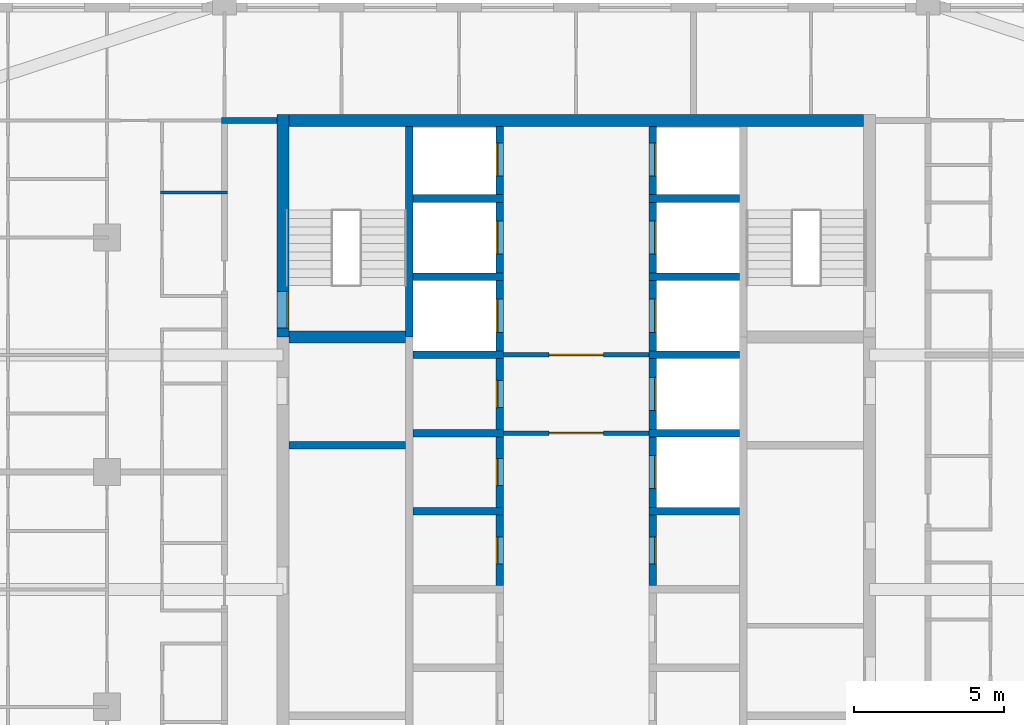
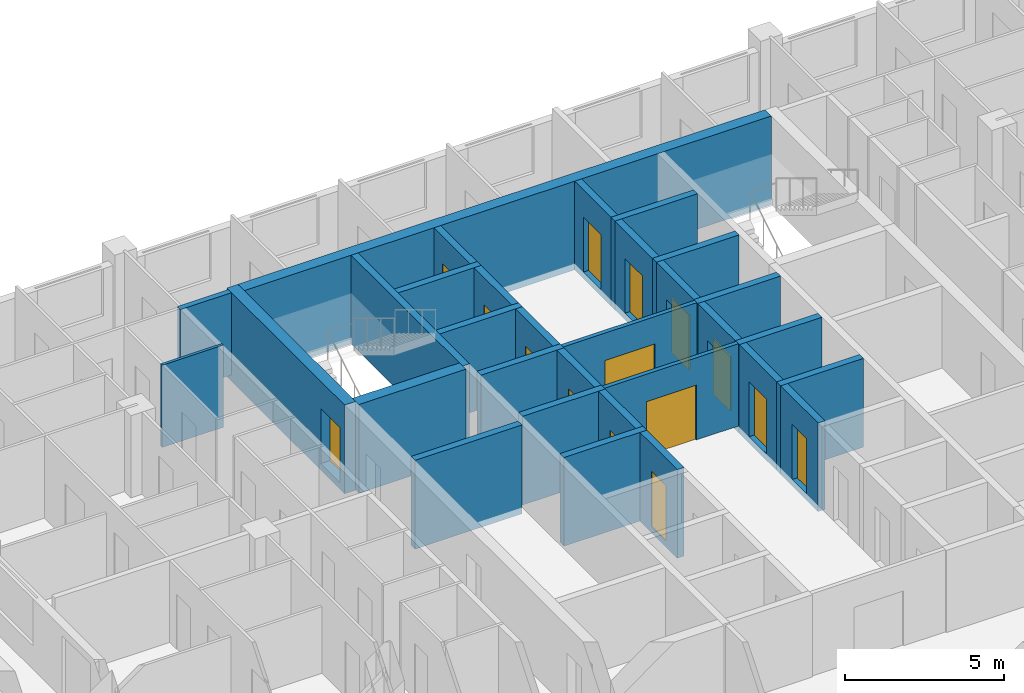
# One storey, part 9 of 16: 31 walls, 15 doors, 15 openings.
"""IFC4 building model written with IfcOpenShell, lengths in metres."""

from ifc_helpers import new_model, si_unit, direction, frame, frame_2d, origin, place, context, subcontext, project, spatial, rectangle, extrude, material, layer, layer_set, type_object, element, fill, save


model = new_model("IFC4")

# Units and contexts
model_context = context("Model", 3, precision=1e-05, world=origin(), true_north=direction((0.0, 1.0)))
body_context = subcontext(model_context, "Body", "Model", "MODEL_VIEW")
ifc_project = project(units=[si_unit("LENGTHUNIT", "METRE"), si_unit("AREAUNIT", "SQUARE_METRE"), si_unit("VOLUMEUNIT", "CUBIC_METRE"), si_unit("PLANEANGLEUNIT", "RADIAN"), si_unit("MASSUNIT", "GRAM", prefix="KILO")], contexts=[model_context])

# Site, building, storey
site_placement = place(None, origin())
site = spatial("IfcSite", under=ifc_project, at=site_placement, CompositionType="ELEMENT")
building_placement = place(site_placement, origin())
building = spatial("IfcBuilding", under=site, at=building_placement, Name="Ludao Terraces", CompositionType="ELEMENT")
storey_placement = place(building_placement, frame((0.0, 0.0, 214.300048828125)))
storey = spatial("IfcBuildingStorey", under=building, at=storey_placement, Name="L58", CompositionType="ELEMENT", Elevation=214.300048828125)

# Wall, opening, door
ifc_material_1 = material(Name="Concrete C50", Category="concrete")
ifc_layer_1 = layer(ifc_material_1, 0.39990234375)
ifc_layer_set_1 = layer_set([ifc_layer_1], Name="Core wall 400 C50")
wall_type_1 = type_object("IfcWallType", Name="Core wall 400 C50", PredefinedType="SOLIDWALL", material=ifc_layer_set_1)
wall_1_placement = place(storey_placement, frame((75.25, 77.300048828125, -0.25), z_axis=(0.0, 0.0, 1.0), x_axis=(0.0, 1.0, 0.0)))
wall_1 = element("IfcWall", 1, at=wall_1_placement, inside=storey, type_object=wall_type_1, Name="Core wall L58 outer-W-S1", PredefinedType="SOLIDWALL", context=body_context, shape_type="SweptSolid", body=[
    extrude(rectangle(XDim=7.39990234375, YDim=0.39990234375, at=frame_2d((3.699951171875, 0.0))), origin(), (0.0, 0.0, 1.0), 3.39990234375),
])
opening_1_placement = place(wall_1_placement, frame((0.300048828125, 0.0, 0.25)))
opening_1 = element("IfcOpeningElement", 2, at=opening_1_placement, cuts=wall_1, Name="Opening R21-110", PredefinedType="OPENING", context=body_context, shape_type="SweptSolid", body=[
    extrude(rectangle(XDim=1.199951171875, YDim=2.10009765625, at=frame_2d((0.60009765625, 1.050048828125))), frame((0.0, 0.2099609375, 0.0), z_axis=(0.0, -1.0, 0.0), x_axis=(1.0, 0.0, 0.0)), (0.0, 0.0, 1.0), 0.419921875),
])
ifc_material_2 = material(Name="Steel Q235", Category="steel")
door_type_1 = type_object("IfcDoorType", Name="INT Stair door 1200", OperationType="DOUBLE_DOOR_SINGLE_SWING", PredefinedType="DOOR", material=ifc_material_2)
door_1_placement = place(opening_1_placement, origin())
door_1 = element("IfcDoor", 3, at=door_1_placement, inside=storey, type_object=door_type_1, Name="DOOR 110", OperationType="DOUBLE_DOOR_SINGLE_SWING", OverallHeight=2.10009765625, OverallWidth=1.199951171875, PredefinedType="DOOR", context=body_context, shape_type="SweptSolid", body=[
    extrude(rectangle(XDim=1.199951171875, YDim=2.10009765625, at=frame_2d((0.60009765625, 1.050048828125))), frame((0.0, -0.134765625, 0.0), z_axis=(0.0, -1.0, 0.0), x_axis=(1.0, 0.0, 0.0)), (0.0, 0.0, 1.0), 0.050048828125),
])
fill(opening_1, door_1)

# Wall
wall_2_placement = place(storey_placement, frame((75.449951171875, 84.5, -0.25), z_axis=(0.0, 0.0, 1.0), x_axis=(1.0, 0.0, 0.0)))
element("IfcWall", 4, at=wall_2_placement, inside=storey, type_object=wall_type_1, Name="Core wall L58 outer-N", PredefinedType="SOLIDWALL", context=body_context, shape_type="SweptSolid", body=[
    extrude(rectangle(XDim=19.10009765625, YDim=0.39990234375, at=frame_2d((9.550048828125, 0.0))), origin(), (0.0, 0.0, 1.0), 3.39990234375),
])

# Wall, opening, door
ifc_material_3 = material(Name="Fire-rated gypsum plasterboard", Category="gypsum")
ifc_layer_2 = layer(ifc_material_3, 0.012451171875, Category="gypsum")
ifc_material_4 = material(Name="Mineral wool")
ifc_layer_3 = layer(ifc_material_4, 0.10009765625, Name="insulation")
ifc_layer_4 = layer(ifc_material_2, 0.02490234375, Name="stud")
ifc_layer_5 = layer(ifc_material_3, 0.012451171875, Category="gypsum")
ifc_layer_set_2 = layer_set([ifc_layer_2, ifc_layer_3, ifc_layer_4, ifc_layer_5], Name="INT Core partition 150")
wall_type_2 = type_object("IfcWallType", Name="INT Core partition 150", PredefinedType="PARTITIONING", material=ifc_layer_set_2)
wall_3_placement = place(storey_placement, frame((82.5751953125, 74.10009765625, 0.0), z_axis=(0.0, 0.0, 1.0), x_axis=(1.0, 0.0, 0.0)))
wall_3 = element("IfcWall", 5, at=wall_3_placement, inside=storey, type_object=wall_type_2, Name="PW-L58-PW048", PredefinedType="PARTITIONING", context=body_context, shape_type="SweptSolid", body=[
    extrude(rectangle(XDim=4.849853515625, YDim=0.14990234375, at=frame_2d((2.4248046875, 0.0))), origin(), (0.0, 0.0, 1.0), 3.14990234375),
])
opening_2_placement = place(wall_3_placement, frame((1.52490234375, 0.0, 0.0)))
opening_2 = element("IfcOpeningElement", 6, at=opening_2_placement, cuts=wall_3, Name="Opening R21-094", PredefinedType="OPENING", context=body_context, shape_type="SweptSolid", body=[
    extrude(rectangle(XDim=1.800048828125, YDim=2.10009765625, at=frame_2d((0.89990234375, 1.050048828125))), frame((0.0, 0.0849609375, 0.0), z_axis=(0.0, -1.0, 0.0), x_axis=(1.0, 0.0, 0.0)), (0.0, 0.0, 1.0), 0.169921875),
])
door_type_2 = type_object("IfcDoorType", Name="INT Fire lobby door 1800", OperationType="DOUBLE_DOOR_SINGLE_SWING", PredefinedType="DOOR", material=ifc_material_2)
door_2_placement = place(opening_2_placement, origin())
door_2 = element("IfcDoor", 7, at=door_2_placement, inside=storey, type_object=door_type_2, Name="DOOR 094", OperationType="DOUBLE_DOOR_SINGLE_SWING", OverallHeight=2.10009765625, OverallWidth=1.800048828125, PredefinedType="DOOR", context=body_context, shape_type="SweptSolid", body=[
    extrude(rectangle(XDim=1.800048828125, YDim=2.10009765625, at=frame_2d((0.89990234375, 1.050048828125))), frame((0.0, 0.02490234375, 0.0), z_axis=(0.0, -1.0, 0.0), x_axis=(1.0, 0.0, 0.0)), (0.0, 0.0, 1.0), 0.050048828125),
])
fill(opening_2, door_2)

wall_4_placement = place(storey_placement, frame((82.5751953125, 76.699951171875, 0.0), z_axis=(0.0, 0.0, 1.0), x_axis=(1.0, 0.0, 0.0)))
wall_4 = element("IfcWall", 8, at=wall_4_placement, inside=storey, type_object=wall_type_2, Name="PW-L58-PW053", PredefinedType="PARTITIONING", context=body_context, shape_type="SweptSolid", body=[
    extrude(rectangle(XDim=4.849853515625, YDim=0.14990234375, at=frame_2d((2.4248046875, 0.0))), origin(), (0.0, 0.0, 1.0), 3.14990234375),
])
opening_3_placement = place(wall_4_placement, frame((1.52490234375, 0.0, 0.0)))
opening_3 = element("IfcOpeningElement", 9, at=opening_3_placement, cuts=wall_4, Name="Opening R21-106", PredefinedType="OPENING", context=body_context, shape_type="SweptSolid", body=[
    extrude(rectangle(XDim=1.800048828125, YDim=2.10009765625, at=frame_2d((0.89990234375, 1.050048828125))), frame((0.0, 0.0849609375, 0.0), z_axis=(0.0, -1.0, 0.0), x_axis=(1.0, 0.0, 0.0)), (0.0, 0.0, 1.0), 0.169921875),
])
door_3_placement = place(opening_3_placement, origin())
door_3 = element("IfcDoor", 10, at=door_3_placement, inside=storey, type_object=door_type_2, Name="DOOR 106", OperationType="DOUBLE_DOOR_SINGLE_SWING", OverallHeight=2.10009765625, OverallWidth=1.800048828125, PredefinedType="DOOR", context=body_context, shape_type="SweptSolid", body=[
    extrude(rectangle(XDim=1.800048828125, YDim=2.10009765625, at=frame_2d((0.89990234375, 1.050048828125))), frame((0.0, 0.02490234375, 0.0), z_axis=(0.0, -1.0, 0.0), x_axis=(1.0, 0.0, 0.0)), (0.0, 0.0, 1.0), 0.050048828125),
])
fill(opening_3, door_3)

# Walls
ifc_material_5 = material(Name="Autoclaved aerated concrete block B06 A3.5", Category="concrete")
ifc_layer_6 = layer(ifc_material_5, 0.199951171875)
ifc_layer_set_3 = layer_set([ifc_layer_6], Name="INT Entrance wall 200")
wall_type_3 = type_object("IfcWallType", Name="INT Entrance wall 200", PredefinedType="PARTITIONING", material=ifc_layer_set_3)
wall_5_placement = place(storey_placement, frame((73.2001953125, 84.5, 0.0), z_axis=(0.0, 0.0, 1.0), x_axis=(1.0, 0.0, 0.0)))
element("IfcWall", 11, at=wall_5_placement, inside=storey, type_object=wall_type_3, Name="PW-L58-PW067", PredefinedType="PARTITIONING", context=body_context, shape_type="SweptSolid", body=[
    extrude(rectangle(XDim=1.849853515625, YDim=0.199951171875, at=frame_2d((0.9248046875, 0.0))), origin(), (0.0, 0.0, 1.0), 3.14990234375),
])
ifc_material_6 = material(Name="Gypsum plasterboard", Category="gypsum")
ifc_layer_7 = layer(ifc_material_6, 0.012451171875, Category="gypsum")
ifc_layer_8 = layer(ifc_material_4, 0.06005859375, Name="insulation")
ifc_layer_9 = layer(ifc_material_2, 0.014892578125, Name="stud")
ifc_layer_10 = layer(ifc_material_6, 0.012451171875, Category="gypsum")
ifc_layer_set_4 = layer_set([ifc_layer_7, ifc_layer_8, ifc_layer_9, ifc_layer_10], Name="INT Partition 100")
wall_type_4 = type_object("IfcWallType", Name="INT Partition 100", PredefinedType="PARTITIONING", material=ifc_layer_set_4)
wall_6_placement = place(storey_placement, frame((71.18017578125, 82.10009765625, 0.0), z_axis=(0.0, 0.0, 1.0), x_axis=(1.0, 0.0, 0.0)))
element("IfcWall", 12, at=wall_6_placement, inside=storey, type_object=wall_type_4, Name="PW-L58-PW062", PredefinedType="PARTITIONING", context=body_context, shape_type="SweptSolid", body=[
    extrude(rectangle(XDim=2.219970703125, YDim=0.10009765625, at=frame_2d((1.10986328125, 0.0))), origin(), (0.0, 0.0, 1.0), 3.14990234375),
])
ifc_layer_11 = layer(ifc_material_1, 0.25)
ifc_layer_set_5 = layer_set([ifc_layer_11], Name="Shaft wall 250 C50")
wall_type_5 = type_object("IfcWallType", Name="Shaft wall 250 C50", PredefinedType="SOLIDWALL", material=ifc_layer_set_5)
wall_7_placement = place(storey_placement, frame((79.449951171875, 77.300048828125, -0.25), z_axis=(0.0, 0.0, 1.0), x_axis=(0.0, 1.0, 0.0)))
element("IfcWall", 13, at=wall_7_placement, inside=storey, type_object=wall_type_5, Name="Core wall L58 back-W-S1", PredefinedType="SOLIDWALL", context=body_context, shape_type="SweptSolid", body=[
    extrude(rectangle(XDim=7.0, YDim=0.25, at=frame_2d((3.5, 0.0))), origin(), (0.0, 0.0, 1.0), 3.39990234375),
])

# Wall, opening, door
wall_8_placement = place(storey_placement, frame((82.449951171875, 69.02490234375, -0.25), z_axis=(0.0, 0.0, 1.0), x_axis=(0.0, 1.0, 0.0)))
wall_8 = element("IfcWall", 14, at=wall_8_placement, inside=storey, type_object=wall_type_5, Name="Core wall L58 front-W4", PredefinedType="SOLIDWALL", context=body_context, shape_type="SweptSolid", body=[
    extrude(rectangle(XDim=2.35009765625, YDim=0.25, at=frame_2d((1.175048828125, 0.0))), origin(), (0.0, 0.0, 1.0), 3.39990234375),
])
opening_4_placement = place(wall_8_placement, frame((0.72509765625, 0.0, 0.25)))
opening_4 = element("IfcOpeningElement", 15, at=opening_4_placement, cuts=wall_8, Name="Opening R21-080", PredefinedType="OPENING", context=body_context, shape_type="SweptSolid", body=[
    extrude(rectangle(XDim=0.89990234375, YDim=2.10009765625, at=frame_2d((0.449951171875, 1.050048828125))), frame((0.0, 0.135009765625, 0.0), z_axis=(0.0, -1.0, 0.0), x_axis=(1.0, 0.0, 0.0)), (0.0, 0.0, 1.0), 0.27001953125),
])
ifc_material_7 = material(Name="Timber door leaf", Category="wood")
door_type_3 = type_object("IfcDoorType", Name="INT Room door 900", OperationType="SINGLE_SWING_LEFT", PredefinedType="DOOR", material=ifc_material_7)
door_4_placement = place(opening_4_placement, origin())
door_4 = element("IfcDoor", 16, at=door_4_placement, inside=storey, type_object=door_type_3, Name="DOOR 080", OperationType="SINGLE_SWING_LEFT", OverallHeight=2.10009765625, OverallWidth=0.89990234375, PredefinedType="DOOR", context=body_context, shape_type="SweptSolid", body=[
    extrude(rectangle(XDim=0.89990234375, YDim=2.10009765625, at=frame_2d((0.449951171875, 1.050048828125))), frame((0.0, 0.10986328125, 0.0), z_axis=(0.0, -1.0, 0.0), x_axis=(1.0, 0.0, 0.0)), (0.0, 0.0, 1.0), 0.050048828125),
])
fill(opening_4, door_4)

# Wall
wall_9_placement = place(storey_placement, frame((79.574951171875, 71.5, -0.25), z_axis=(0.0, 0.0, 1.0), x_axis=(1.0, 0.0, 0.0)))
element("IfcWall", 17, at=wall_9_placement, inside=storey, type_object=wall_type_5, Name="Core wall L58 div-W5", PredefinedType="SOLIDWALL", context=body_context, shape_type="SweptSolid", body=[
    extrude(rectangle(XDim=3.0, YDim=0.25, at=frame_2d((1.5, 0.0))), origin(), (0.0, 0.0, 1.0), 3.39990234375),
])

# Wall, opening, door
wall_10_placement = place(storey_placement, frame((82.449951171875, 71.625, -0.25), z_axis=(0.0, 0.0, 1.0), x_axis=(0.0, 1.0, 0.0)))
wall_10 = element("IfcWall", 18, at=wall_10_placement, inside=storey, type_object=wall_type_5, Name="Core wall L58 front-W5", PredefinedType="SOLIDWALL", context=body_context, shape_type="SweptSolid", body=[
    extrude(rectangle(XDim=2.35009765625, YDim=0.25, at=frame_2d((1.175048828125, 0.0))), origin(), (0.0, 0.0, 1.0), 3.39990234375),
])
opening_5_placement = place(wall_10_placement, frame((0.72509765625, 0.0, 0.25)))
opening_5 = element("IfcOpeningElement", 19, at=opening_5_placement, cuts=wall_10, Name="Opening R21-090", PredefinedType="OPENING", context=body_context, shape_type="SweptSolid", body=[
    extrude(rectangle(XDim=0.89990234375, YDim=2.10009765625, at=frame_2d((0.449951171875, 1.050048828125))), frame((0.0, 0.135009765625, 0.0), z_axis=(0.0, -1.0, 0.0), x_axis=(1.0, 0.0, 0.0)), (0.0, 0.0, 1.0), 0.27001953125),
])
door_5_placement = place(opening_5_placement, origin())
door_5 = element("IfcDoor", 20, at=door_5_placement, inside=storey, type_object=door_type_3, Name="DOOR 090", OperationType="SINGLE_SWING_RIGHT", OverallHeight=2.10009765625, OverallWidth=0.89990234375, PredefinedType="DOOR", context=body_context, shape_type="SweptSolid", body=[
    extrude(rectangle(XDim=0.89990234375, YDim=2.10009765625, at=frame_2d((0.449951171875, 1.050048828125))), frame((0.0, 0.10986328125, 0.0), z_axis=(0.0, -1.0, 0.0), x_axis=(1.0, 0.0, 0.0)), (0.0, 0.0, 1.0), 0.050048828125),
])
fill(opening_5, door_5)

# Wall
wall_11_placement = place(storey_placement, frame((79.574951171875, 74.10009765625, -0.25), z_axis=(0.0, 0.0, 1.0), x_axis=(1.0, 0.0, 0.0)))
element("IfcWall", 21, at=wall_11_placement, inside=storey, type_object=wall_type_5, Name="Core wall L58 div-W6", PredefinedType="SOLIDWALL", context=body_context, shape_type="SweptSolid", body=[
    extrude(rectangle(XDim=3.0, YDim=0.25, at=frame_2d((1.5, 0.0))), origin(), (0.0, 0.0, 1.0), 3.39990234375),
])

# Wall, opening, door
wall_12_placement = place(storey_placement, frame((82.449951171875, 74.22509765625, -0.25), z_axis=(0.0, 0.0, 1.0), x_axis=(0.0, 1.0, 0.0)))
wall_12 = element("IfcWall", 22, at=wall_12_placement, inside=storey, type_object=wall_type_5, Name="Core wall L58 front-W6", PredefinedType="SOLIDWALL", context=body_context, shape_type="SweptSolid", body=[
    extrude(rectangle(XDim=2.349853515625, YDim=0.25, at=frame_2d((1.1748046875, 0.0))), origin(), (0.0, 0.0, 1.0), 3.39990234375),
])
opening_6_placement = place(wall_12_placement, frame((0.72509765625, 0.0, 0.25)))
opening_6 = element("IfcOpeningElement", 23, at=opening_6_placement, cuts=wall_12, Name="Opening R21-097", PredefinedType="OPENING", context=body_context, shape_type="SweptSolid", body=[
    extrude(rectangle(XDim=0.89990234375, YDim=2.10009765625, at=frame_2d((0.449951171875, 1.050048828125))), frame((0.0, 0.135009765625, 0.0), z_axis=(0.0, -1.0, 0.0), x_axis=(1.0, 0.0, 0.0)), (0.0, 0.0, 1.0), 0.27001953125),
])
door_6_placement = place(opening_6_placement, origin())
door_6 = element("IfcDoor", 24, at=door_6_placement, inside=storey, type_object=door_type_3, Name="DOOR 097", OperationType="SINGLE_SWING_LEFT", OverallHeight=2.10009765625, OverallWidth=0.89990234375, PredefinedType="DOOR", context=body_context, shape_type="SweptSolid", body=[
    extrude(rectangle(XDim=0.89990234375, YDim=2.10009765625, at=frame_2d((0.449951171875, 1.050048828125))), frame((0.0, 0.10986328125, 0.0), z_axis=(0.0, -1.0, 0.0), x_axis=(1.0, 0.0, 0.0)), (0.0, 0.0, 1.0), 0.050048828125),
])
fill(opening_6, door_6)

# Wall
wall_13_placement = place(storey_placement, frame((79.574951171875, 76.699951171875, -0.25), z_axis=(0.0, 0.0, 1.0), x_axis=(1.0, 0.0, 0.0)))
element("IfcWall", 25, at=wall_13_placement, inside=storey, type_object=wall_type_5, Name="Core wall L58 div-W7", PredefinedType="SOLIDWALL", context=body_context, shape_type="SweptSolid", body=[
    extrude(rectangle(XDim=3.0, YDim=0.25, at=frame_2d((1.5, 0.0))), origin(), (0.0, 0.0, 1.0), 3.39990234375),
])

# Wall, opening, door
wall_14_placement = place(storey_placement, frame((82.449951171875, 76.824951171875, -0.25), z_axis=(0.0, 0.0, 1.0), x_axis=(0.0, 1.0, 0.0)))
wall_14 = element("IfcWall", 26, at=wall_14_placement, inside=storey, type_object=wall_type_5, Name="Core wall L58 front-W7", PredefinedType="SOLIDWALL", context=body_context, shape_type="SweptSolid", body=[
    extrude(rectangle(XDim=2.35009765625, YDim=0.25, at=frame_2d((1.175048828125, 0.0))), origin(), (0.0, 0.0, 1.0), 3.39990234375),
])
opening_7_placement = place(wall_14_placement, frame((0.625, 0.0, 0.25)))
opening_7 = element("IfcOpeningElement", 27, at=opening_7_placement, cuts=wall_14, Name="Opening LD-FF1", PredefinedType="OPENING", context=body_context, shape_type="SweptSolid", body=[
    extrude(rectangle(XDim=1.10009765625, YDim=2.10009765625, at=frame_2d((0.550048828125, 1.050048828125))), frame((0.0, 0.135009765625, 0.0), z_axis=(0.0, -1.0, 0.0), x_axis=(1.0, 0.0, 0.0)), (0.0, 0.0, 1.0), 0.27001953125),
])
ifc_material_8 = material(Name="Stainless steel 304", Category="steel")
door_type_4 = type_object("IfcDoorType", Name="INT Lift landing door 1100", OperationType="SLIDING_TO_LEFT", PredefinedType="DOOR", material=ifc_material_8)
door_7_placement = place(opening_7_placement, origin())
door_7 = element("IfcDoor", 28, at=door_7_placement, inside=storey, type_object=door_type_4, Name="LANDING DOOR FF1 L58", OperationType="SLIDING_TO_LEFT", OverallHeight=2.10009765625, OverallWidth=1.10009765625, PredefinedType="DOOR", context=body_context, shape_type="SweptSolid", body=[
    extrude(rectangle(XDim=1.10009765625, YDim=2.10009765625, at=frame_2d((0.550048828125, 1.050048828125))), frame((0.0, 0.10986328125, 0.0), z_axis=(0.0, -1.0, 0.0), x_axis=(1.0, 0.0, 0.0)), (0.0, 0.0, 1.0), 0.050048828125),
])
fill(opening_7, door_7)

# Wall
wall_15_placement = place(storey_placement, frame((79.574951171875, 79.300048828125, -0.25), z_axis=(0.0, 0.0, 1.0), x_axis=(1.0, 0.0, 0.0)))
element("IfcWall", 29, at=wall_15_placement, inside=storey, type_object=wall_type_5, Name="Core wall L58 div-W8", PredefinedType="SOLIDWALL", context=body_context, shape_type="SweptSolid", body=[
    extrude(rectangle(XDim=3.0, YDim=0.25, at=frame_2d((1.5, 0.0))), origin(), (0.0, 0.0, 1.0), 3.39990234375),
])

# Wall, opening, door
wall_16_placement = place(storey_placement, frame((82.449951171875, 79.425048828125, -0.25), z_axis=(0.0, 0.0, 1.0), x_axis=(0.0, 1.0, 0.0)))
wall_16 = element("IfcWall", 30, at=wall_16_placement, inside=storey, type_object=wall_type_5, Name="Core wall L58 front-W8", PredefinedType="SOLIDWALL", context=body_context, shape_type="SweptSolid", body=[
    extrude(rectangle(XDim=2.349853515625, YDim=0.25, at=frame_2d((1.1748046875, 0.0))), origin(), (0.0, 0.0, 1.0), 3.39990234375),
])
opening_8_placement = place(wall_16_placement, frame((0.625, 0.0, 0.25)))
opening_8 = element("IfcOpeningElement", 31, at=opening_8_placement, cuts=wall_16, Name="Opening LD-FF2", PredefinedType="OPENING", context=body_context, shape_type="SweptSolid", body=[
    extrude(rectangle(XDim=1.10009765625, YDim=2.10009765625, at=frame_2d((0.550048828125, 1.050048828125))), frame((0.0, 0.135009765625, 0.0), z_axis=(0.0, -1.0, 0.0), x_axis=(1.0, 0.0, 0.0)), (0.0, 0.0, 1.0), 0.27001953125),
])
door_8_placement = place(opening_8_placement, origin())
door_8 = element("IfcDoor", 32, at=door_8_placement, inside=storey, type_object=door_type_4, Name="LANDING DOOR FF2 L58", OperationType="SLIDING_TO_LEFT", OverallHeight=2.10009765625, OverallWidth=1.10009765625, PredefinedType="DOOR", context=body_context, shape_type="SweptSolid", body=[
    extrude(rectangle(XDim=1.10009765625, YDim=2.10009765625, at=frame_2d((0.550048828125, 1.050048828125))), frame((0.0, 0.10986328125, 0.0), z_axis=(0.0, -1.0, 0.0), x_axis=(1.0, 0.0, 0.0)), (0.0, 0.0, 1.0), 0.050048828125),
])
fill(opening_8, door_8)

# Wall
wall_17_placement = place(storey_placement, frame((79.574951171875, 81.89990234375, -0.25), z_axis=(0.0, 0.0, 1.0), x_axis=(1.0, 0.0, 0.0)))
element("IfcWall", 33, at=wall_17_placement, inside=storey, type_object=wall_type_5, Name="Core wall L58 div-W9", PredefinedType="SOLIDWALL", context=body_context, shape_type="SweptSolid", body=[
    extrude(rectangle(XDim=3.0, YDim=0.25, at=frame_2d((1.5, 0.0))), origin(), (0.0, 0.0, 1.0), 3.39990234375),
])

# Wall, opening, door
wall_18_placement = place(storey_placement, frame((82.449951171875, 82.02490234375, -0.25), z_axis=(0.0, 0.0, 1.0), x_axis=(0.0, 1.0, 0.0)))
wall_18 = element("IfcWall", 34, at=wall_18_placement, inside=storey, type_object=wall_type_5, Name="Core wall L58 front-W9", PredefinedType="SOLIDWALL", context=body_context, shape_type="SweptSolid", body=[
    extrude(rectangle(XDim=2.275146484375, YDim=0.25, at=frame_2d((1.1376953125, 0.0))), origin(), (0.0, 0.0, 1.0), 3.39990234375),
])
opening_9_placement = place(wall_18_placement, frame((0.625, 0.0, 0.25)))
opening_9 = element("IfcOpeningElement", 35, at=opening_9_placement, cuts=wall_18, Name="Opening LD-LB6", PredefinedType="OPENING", context=body_context, shape_type="SweptSolid", body=[
    extrude(rectangle(XDim=1.10009765625, YDim=2.10009765625, at=frame_2d((0.550048828125, 1.050048828125))), frame((0.0, 0.135009765625, 0.0), z_axis=(0.0, -1.0, 0.0), x_axis=(1.0, 0.0, 0.0)), (0.0, 0.0, 1.0), 0.27001953125),
])
door_9_placement = place(opening_9_placement, origin())
door_9 = element("IfcDoor", 36, at=door_9_placement, inside=storey, type_object=door_type_4, Name="LANDING DOOR LB6 L58", OperationType="SLIDING_TO_RIGHT", OverallHeight=2.10009765625, OverallWidth=1.10009765625, PredefinedType="DOOR", context=body_context, shape_type="SweptSolid", body=[
    extrude(rectangle(XDim=1.10009765625, YDim=2.10009765625, at=frame_2d((0.550048828125, 1.050048828125))), frame((0.0, 0.10986328125, 0.0), z_axis=(0.0, -1.0, 0.0), x_axis=(1.0, 0.0, 0.0)), (0.0, 0.0, 1.0), 0.050048828125),
])
fill(opening_9, door_9)

wall_19_placement = place(storey_placement, frame((87.550048828125, 69.02490234375, -0.25), z_axis=(0.0, 0.0, 1.0), x_axis=(0.0, 1.0, 0.0)))
wall_19 = element("IfcWall", 37, at=wall_19_placement, inside=storey, type_object=wall_type_5, Name="Core wall L58 front-E4", PredefinedType="SOLIDWALL", context=body_context, shape_type="SweptSolid", body=[
    extrude(rectangle(XDim=2.35009765625, YDim=0.25, at=frame_2d((1.175048828125, 0.0))), origin(), (0.0, 0.0, 1.0), 3.39990234375),
])
opening_10_placement = place(wall_19_placement, frame((0.72509765625, 0.0, 0.25)))
opening_10 = element("IfcOpeningElement", 38, at=opening_10_placement, cuts=wall_19, Name="Opening R21-081", PredefinedType="OPENING", context=body_context, shape_type="SweptSolid", body=[
    extrude(rectangle(XDim=0.89990234375, YDim=2.10009765625, at=frame_2d((0.449951171875, 1.050048828125))), frame((0.0, 0.135009765625, 0.0), z_axis=(0.0, -1.0, 0.0), x_axis=(1.0, 0.0, 0.0)), (0.0, 0.0, 1.0), 0.27001953125),
])
door_10_placement = place(opening_10_placement, origin())
door_10 = element("IfcDoor", 39, at=door_10_placement, inside=storey, type_object=door_type_3, Name="DOOR 081", OperationType="SINGLE_SWING_RIGHT", OverallHeight=2.10009765625, OverallWidth=0.89990234375, PredefinedType="DOOR", context=body_context, shape_type="SweptSolid", body=[
    extrude(rectangle(XDim=0.89990234375, YDim=2.10009765625, at=frame_2d((0.449951171875, 1.050048828125))), frame((0.0, -0.06005859375, 0.0), z_axis=(0.0, -1.0, 0.0), x_axis=(1.0, 0.0, 0.0)), (0.0, 0.0, 1.0), 0.050048828125),
])
fill(opening_10, door_10)

# Wall
wall_20_placement = place(storey_placement, frame((87.425048828125, 71.5, -0.25), z_axis=(0.0, 0.0, 1.0), x_axis=(1.0, 0.0, 0.0)))
element("IfcWall", 40, at=wall_20_placement, inside=storey, type_object=wall_type_5, Name="Core wall L58 div-E5", PredefinedType="SOLIDWALL", context=body_context, shape_type="SweptSolid", body=[
    extrude(rectangle(XDim=3.0, YDim=0.25, at=frame_2d((1.5, 0.0))), origin(), (0.0, 0.0, 1.0), 3.39990234375),
])

# Wall, opening, door
wall_21_placement = place(storey_placement, frame((87.550048828125, 71.625, -0.25), z_axis=(0.0, 0.0, 1.0), x_axis=(0.0, 1.0, 0.0)))
wall_21 = element("IfcWall", 41, at=wall_21_placement, inside=storey, type_object=wall_type_5, Name="Core wall L58 front-E5", PredefinedType="SOLIDWALL", context=body_context, shape_type="SweptSolid", body=[
    extrude(rectangle(XDim=2.35009765625, YDim=0.25, at=frame_2d((1.175048828125, 0.0))), origin(), (0.0, 0.0, 1.0), 3.39990234375),
])
opening_11_placement = place(wall_21_placement, frame((0.625, 0.0, 0.25)))
opening_11 = element("IfcOpeningElement", 42, at=opening_11_placement, cuts=wall_21, Name="Opening LD-LB1", PredefinedType="OPENING", context=body_context, shape_type="SweptSolid", body=[
    extrude(rectangle(XDim=1.10009765625, YDim=2.10009765625, at=frame_2d((0.550048828125, 1.050048828125))), frame((0.0, 0.135009765625, 0.0), z_axis=(0.0, -1.0, 0.0), x_axis=(1.0, 0.0, 0.0)), (0.0, 0.0, 1.0), 0.27001953125),
])
door_11_placement = place(opening_11_placement, origin())
door_11 = element("IfcDoor", 43, at=door_11_placement, inside=storey, type_object=door_type_4, Name="LANDING DOOR LB1 L58", OperationType="SLIDING_TO_LEFT", OverallHeight=2.10009765625, OverallWidth=1.10009765625, PredefinedType="DOOR", context=body_context, shape_type="SweptSolid", body=[
    extrude(rectangle(XDim=1.10009765625, YDim=2.10009765625, at=frame_2d((0.550048828125, 1.050048828125))), frame((0.0, -0.06005859375, 0.0), z_axis=(0.0, -1.0, 0.0), x_axis=(1.0, 0.0, 0.0)), (0.0, 0.0, 1.0), 0.050048828125),
])
fill(opening_11, door_11)

# Wall
wall_22_placement = place(storey_placement, frame((87.425048828125, 74.10009765625, -0.25), z_axis=(0.0, 0.0, 1.0), x_axis=(1.0, 0.0, 0.0)))
element("IfcWall", 44, at=wall_22_placement, inside=storey, type_object=wall_type_5, Name="Core wall L58 div-E6", PredefinedType="SOLIDWALL", context=body_context, shape_type="SweptSolid", body=[
    extrude(rectangle(XDim=3.0, YDim=0.25, at=frame_2d((1.5, 0.0))), origin(), (0.0, 0.0, 1.0), 3.39990234375),
])

# Wall, opening, door
wall_23_placement = place(storey_placement, frame((87.550048828125, 74.22509765625, -0.25), z_axis=(0.0, 0.0, 1.0), x_axis=(0.0, 1.0, 0.0)))
wall_23 = element("IfcWall", 45, at=wall_23_placement, inside=storey, type_object=wall_type_5, Name="Core wall L58 front-E6", PredefinedType="SOLIDWALL", context=body_context, shape_type="SweptSolid", body=[
    extrude(rectangle(XDim=2.349853515625, YDim=0.25, at=frame_2d((1.1748046875, 0.0))), origin(), (0.0, 0.0, 1.0), 3.39990234375),
])
opening_12_placement = place(wall_23_placement, frame((0.625, 0.0, 0.25)))
opening_12 = element("IfcOpeningElement", 46, at=opening_12_placement, cuts=wall_23, Name="Opening LD-LB2", PredefinedType="OPENING", context=body_context, shape_type="SweptSolid", body=[
    extrude(rectangle(XDim=1.10009765625, YDim=2.10009765625, at=frame_2d((0.550048828125, 1.050048828125))), frame((0.0, 0.135009765625, 0.0), z_axis=(0.0, -1.0, 0.0), x_axis=(1.0, 0.0, 0.0)), (0.0, 0.0, 1.0), 0.27001953125),
])
door_12_placement = place(opening_12_placement, origin())
door_12 = element("IfcDoor", 47, at=door_12_placement, inside=storey, type_object=door_type_4, Name="LANDING DOOR LB2 L58", OperationType="SLIDING_TO_LEFT", OverallHeight=2.10009765625, OverallWidth=1.10009765625, PredefinedType="DOOR", context=body_context, shape_type="SweptSolid", body=[
    extrude(rectangle(XDim=1.10009765625, YDim=2.10009765625, at=frame_2d((0.550048828125, 1.050048828125))), frame((0.0, -0.06005859375, 0.0), z_axis=(0.0, -1.0, 0.0), x_axis=(1.0, 0.0, 0.0)), (0.0, 0.0, 1.0), 0.050048828125),
])
fill(opening_12, door_12)

# Wall
wall_24_placement = place(storey_placement, frame((87.425048828125, 76.699951171875, -0.25), z_axis=(0.0, 0.0, 1.0), x_axis=(1.0, 0.0, 0.0)))
element("IfcWall", 48, at=wall_24_placement, inside=storey, type_object=wall_type_5, Name="Core wall L58 div-E7", PredefinedType="SOLIDWALL", context=body_context, shape_type="SweptSolid", body=[
    extrude(rectangle(XDim=3.0, YDim=0.25, at=frame_2d((1.5, 0.0))), origin(), (0.0, 0.0, 1.0), 3.39990234375),
])

# Wall, opening, door
wall_25_placement = place(storey_placement, frame((87.550048828125, 76.824951171875, -0.25), z_axis=(0.0, 0.0, 1.0), x_axis=(0.0, 1.0, 0.0)))
wall_25 = element("IfcWall", 49, at=wall_25_placement, inside=storey, type_object=wall_type_5, Name="Core wall L58 front-E7", PredefinedType="SOLIDWALL", context=body_context, shape_type="SweptSolid", body=[
    extrude(rectangle(XDim=2.35009765625, YDim=0.25, at=frame_2d((1.175048828125, 0.0))), origin(), (0.0, 0.0, 1.0), 3.39990234375),
])
opening_13_placement = place(wall_25_placement, frame((0.625, 0.0, 0.25)))
opening_13 = element("IfcOpeningElement", 50, at=opening_13_placement, cuts=wall_25, Name="Opening LD-LB3", PredefinedType="OPENING", context=body_context, shape_type="SweptSolid", body=[
    extrude(rectangle(XDim=1.10009765625, YDim=2.10009765625, at=frame_2d((0.550048828125, 1.050048828125))), frame((0.0, 0.135009765625, 0.0), z_axis=(0.0, -1.0, 0.0), x_axis=(1.0, 0.0, 0.0)), (0.0, 0.0, 1.0), 0.27001953125),
])
door_13_placement = place(opening_13_placement, origin())
door_13 = element("IfcDoor", 51, at=door_13_placement, inside=storey, type_object=door_type_4, Name="LANDING DOOR LB3 L58", OperationType="SLIDING_TO_LEFT", OverallHeight=2.10009765625, OverallWidth=1.10009765625, PredefinedType="DOOR", context=body_context, shape_type="SweptSolid", body=[
    extrude(rectangle(XDim=1.10009765625, YDim=2.10009765625, at=frame_2d((0.550048828125, 1.050048828125))), frame((0.0, -0.06005859375, 0.0), z_axis=(0.0, -1.0, 0.0), x_axis=(1.0, 0.0, 0.0)), (0.0, 0.0, 1.0), 0.050048828125),
])
fill(opening_13, door_13)

# Wall
wall_26_placement = place(storey_placement, frame((87.425048828125, 79.300048828125, -0.25), z_axis=(0.0, 0.0, 1.0), x_axis=(1.0, 0.0, 0.0)))
element("IfcWall", 52, at=wall_26_placement, inside=storey, type_object=wall_type_5, Name="Core wall L58 div-E8", PredefinedType="SOLIDWALL", context=body_context, shape_type="SweptSolid", body=[
    extrude(rectangle(XDim=3.0, YDim=0.25, at=frame_2d((1.5, 0.0))), origin(), (0.0, 0.0, 1.0), 3.39990234375),
])

# Wall, opening, door
wall_27_placement = place(storey_placement, frame((87.550048828125, 79.425048828125, -0.25), z_axis=(0.0, 0.0, 1.0), x_axis=(0.0, 1.0, 0.0)))
wall_27 = element("IfcWall", 53, at=wall_27_placement, inside=storey, type_object=wall_type_5, Name="Core wall L58 front-E8", PredefinedType="SOLIDWALL", context=body_context, shape_type="SweptSolid", body=[
    extrude(rectangle(XDim=2.349853515625, YDim=0.25, at=frame_2d((1.1748046875, 0.0))), origin(), (0.0, 0.0, 1.0), 3.39990234375),
])
opening_14_placement = place(wall_27_placement, frame((0.625, 0.0, 0.25)))
opening_14 = element("IfcOpeningElement", 54, at=opening_14_placement, cuts=wall_27, Name="Opening LD-LB4", PredefinedType="OPENING", context=body_context, shape_type="SweptSolid", body=[
    extrude(rectangle(XDim=1.10009765625, YDim=2.10009765625, at=frame_2d((0.550048828125, 1.050048828125))), frame((0.0, 0.135009765625, 0.0), z_axis=(0.0, -1.0, 0.0), x_axis=(1.0, 0.0, 0.0)), (0.0, 0.0, 1.0), 0.27001953125),
])
door_14_placement = place(opening_14_placement, origin())
door_14 = element("IfcDoor", 55, at=door_14_placement, inside=storey, type_object=door_type_4, Name="LANDING DOOR LB4 L58", OperationType="SLIDING_TO_RIGHT", OverallHeight=2.10009765625, OverallWidth=1.10009765625, PredefinedType="DOOR", context=body_context, shape_type="SweptSolid", body=[
    extrude(rectangle(XDim=1.10009765625, YDim=2.10009765625, at=frame_2d((0.550048828125, 1.050048828125))), frame((0.0, -0.06005859375, 0.0), z_axis=(0.0, -1.0, 0.0), x_axis=(1.0, 0.0, 0.0)), (0.0, 0.0, 1.0), 0.050048828125),
])
fill(opening_14, door_14)

# Wall
wall_28_placement = place(storey_placement, frame((87.425048828125, 81.89990234375, -0.25), z_axis=(0.0, 0.0, 1.0), x_axis=(1.0, 0.0, 0.0)))
element("IfcWall", 56, at=wall_28_placement, inside=storey, type_object=wall_type_5, Name="Core wall L58 div-E9", PredefinedType="SOLIDWALL", context=body_context, shape_type="SweptSolid", body=[
    extrude(rectangle(XDim=3.0, YDim=0.25, at=frame_2d((1.5, 0.0))), origin(), (0.0, 0.0, 1.0), 3.39990234375),
])

# Wall, opening, door
wall_29_placement = place(storey_placement, frame((87.550048828125, 82.02490234375, -0.25), z_axis=(0.0, 0.0, 1.0), x_axis=(0.0, 1.0, 0.0)))
wall_29 = element("IfcWall", 57, at=wall_29_placement, inside=storey, type_object=wall_type_5, Name="Core wall L58 front-E9", PredefinedType="SOLIDWALL", context=body_context, shape_type="SweptSolid", body=[
    extrude(rectangle(XDim=2.275146484375, YDim=0.25, at=frame_2d((1.1376953125, 0.0))), origin(), (0.0, 0.0, 1.0), 3.39990234375),
])
opening_15_placement = place(wall_29_placement, frame((0.625, 0.0, 0.25)))
opening_15 = element("IfcOpeningElement", 58, at=opening_15_placement, cuts=wall_29, Name="Opening LD-LB5", PredefinedType="OPENING", context=body_context, shape_type="SweptSolid", body=[
    extrude(rectangle(XDim=1.10009765625, YDim=2.10009765625, at=frame_2d((0.550048828125, 1.050048828125))), frame((0.0, 0.135009765625, 0.0), z_axis=(0.0, -1.0, 0.0), x_axis=(1.0, 0.0, 0.0)), (0.0, 0.0, 1.0), 0.27001953125),
])
door_15_placement = place(opening_15_placement, origin())
door_15 = element("IfcDoor", 59, at=door_15_placement, inside=storey, type_object=door_type_4, Name="LANDING DOOR LB5 L58", OperationType="SLIDING_TO_RIGHT", OverallHeight=2.10009765625, OverallWidth=1.10009765625, PredefinedType="DOOR", context=body_context, shape_type="SweptSolid", body=[
    extrude(rectangle(XDim=1.10009765625, YDim=2.10009765625, at=frame_2d((0.550048828125, 1.050048828125))), frame((0.0, -0.06005859375, 0.0), z_axis=(0.0, -1.0, 0.0), x_axis=(1.0, 0.0, 0.0)), (0.0, 0.0, 1.0), 0.050048828125),
])
fill(opening_15, door_15)

# Walls
wall_30_placement = place(storey_placement, frame((75.449951171875, 73.699951171875, -0.25), z_axis=(0.0, 0.0, 1.0), x_axis=(1.0, 0.0, 0.0)))
element("IfcWall", 60, at=wall_30_placement, inside=storey, type_object=wall_type_5, Name="Core wall L58 riser-b-W", PredefinedType="SOLIDWALL", context=body_context, shape_type="SweptSolid", body=[
    extrude(rectangle(XDim=3.875, YDim=0.25, at=frame_2d((1.9375, 0.0))), origin(), (0.0, 0.0, 1.0), 3.39990234375),
])
ifc_layer_12 = layer(ifc_material_1, 0.39990234375)
ifc_layer_set_6 = layer_set([ifc_layer_12], Name="Shaft wall 400 C50")
wall_type_6 = type_object("IfcWallType", Name="Shaft wall 400 C50", PredefinedType="SOLIDWALL", material=ifc_layer_set_6)
wall_31_placement = place(storey_placement, frame((75.449951171875, 77.300048828125, -0.25), z_axis=(0.0, 0.0, 1.0), x_axis=(1.0, 0.0, 0.0)))
element("IfcWall", 61, at=wall_31_placement, inside=storey, type_object=wall_type_6, Name="Core wall L58 stair-W", PredefinedType="SOLIDWALL", context=body_context, shape_type="SweptSolid", body=[
    extrude(rectangle(XDim=3.875, YDim=0.39990234375, at=frame_2d((1.9375, 0.0))), origin(), (0.0, 0.0, 1.0), 3.39990234375),
])

save(model, "model.ifc")
